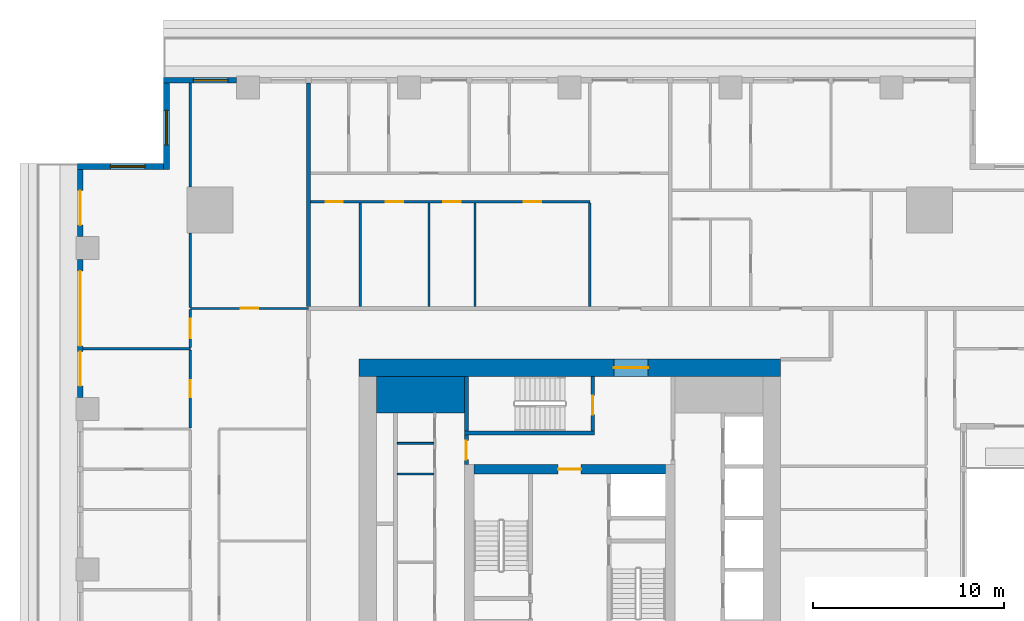
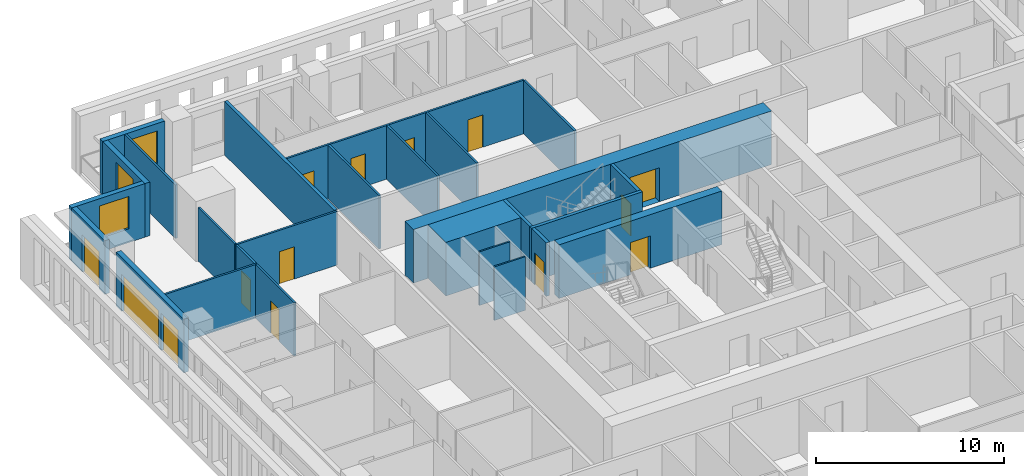
# One storey, part 7 of 16: 26 walls, 14 doors, 3 windows, 17 openings.
"""IFC4 building model written with IfcOpenShell, lengths in metres."""

from ifc_helpers import new_model, si_unit, direction, frame, frame_2d, origin, place, context, subcontext, project, spatial, rectangle, extrude, material, layer, layer_set, type_object, element, fill, save


model = new_model("IFC4")

# Units and contexts
model_context = context("Model", 3, precision=1e-05, world=origin(), true_north=direction((0.0, 1.0)))
body_context = subcontext(model_context, "Body", "Model", "MODEL_VIEW")
ifc_project = project(units=[si_unit("LENGTHUNIT", "METRE"), si_unit("AREAUNIT", "SQUARE_METRE"), si_unit("VOLUMEUNIT", "CUBIC_METRE"), si_unit("PLANEANGLEUNIT", "RADIAN"), si_unit("MASSUNIT", "GRAM", prefix="KILO")], contexts=[model_context])

# Site, building, storey
site_placement = place(None, origin())
site = spatial("IfcSite", under=ifc_project, at=site_placement, CompositionType="ELEMENT")
building_placement = place(site_placement, origin())
building = spatial("IfcBuilding", under=site, at=building_placement, Name="Khepri Terraces", CompositionType="ELEMENT")
storey_placement = place(building_placement, frame((0.0, 0.0, 204.0)))
storey = spatial("IfcBuildingStorey", under=building, at=storey_placement, Name="L48", CompositionType="ELEMENT", Elevation=204.0)

# Walls
ifc_material_1 = material(Name="Concrete C50/60", Category="concrete")
ifc_layer_1 = layer(ifc_material_1, 1.89990234375, Name="Concrete C50/60", Category="concrete")
ifc_layer_set_1 = layer_set([ifc_layer_1], Name="Concrete C50/60")
wall_type_1 = type_object("IfcWallType", Name="Core wall 1900 C50/60", PredefinedType="SHEAR", material=ifc_layer_set_1)
wall_1_placement = place(storey_placement, frame((-10.10009765625, 9.14990234375, 0.0), z_axis=(0.0, 0.0, 1.0), x_axis=(1.0, 0.0, 0.0)))
element("IfcWall", 1, at=wall_1_placement, inside=storey, type_object=wall_type_1, Name="Core wall PR03 L48", PredefinedType="SHEAR", context=body_context, shape_type="SweptSolid", body=[
    extrude(rectangle(XDim=4.60009765625, YDim=1.89990234375, at=frame_2d((2.300048828125, 0.0))), origin(), (0.0, 0.0, 1.0), 3.47998046875),
])
ifc_layer_2 = layer(ifc_material_1, 0.199951171875, Name="Concrete C50/60", Category="concrete")
ifc_layer_set_2 = layer_set([ifc_layer_2], Name="Concrete C50/60")
wall_type_2 = type_object("IfcWallType", Name="Core wall 200 C50/60", PredefinedType="SHEAR", material=ifc_layer_set_2)
wall_2_placement = place(storey_placement, frame((-5.5, 7.14990234375, 0.0), z_axis=(0.0, 0.0, 1.0), x_axis=(1.0, 0.0, 0.0)))
element("IfcWall", 2, at=wall_2_placement, inside=storey, type_object=wall_type_2, Name="Core wall ST05 L48", PredefinedType="SHEAR", context=body_context, shape_type="SweptSolid", body=[
    extrude(rectangle(XDim=6.800048828125, YDim=0.199951171875, at=frame_2d((3.39990234375, 0.0))), origin(), (0.0, 0.0, 1.0), 3.47998046875),
])
wall_3_placement = place(storey_placement, frame((-5.39990234375, 7.25, 0.0), z_axis=(0.0, 0.0, 1.0), x_axis=(0.0, 1.0, 0.0)))
element("IfcWall", 3, at=wall_3_placement, inside=storey, type_object=wall_type_2, Name="Core wall ST06 L48", PredefinedType="SHEAR", context=body_context, shape_type="SweptSolid", body=[
    extrude(rectangle(XDim=2.85009765625, YDim=0.199951171875, at=frame_2d((1.425048828125, 0.0))), origin(), (0.0, 0.0, 1.0), 3.47998046875),
])

# Wall, opening, door
wall_4_placement = place(storey_placement, frame((1.199951171875, 7.25, 0.0), z_axis=(0.0, 0.0, 1.0), x_axis=(0.0, 1.0, 0.0)))
wall_4 = element("IfcWall", 4, at=wall_4_placement, inside=storey, type_object=wall_type_2, Name="Core wall ST07 L48", PredefinedType="SHEAR", context=body_context, shape_type="SweptSolid", body=[
    extrude(rectangle(XDim=2.85009765625, YDim=0.199951171875, at=frame_2d((1.425048828125, 0.0))), origin(), (0.0, 0.0, 1.0), 3.47998046875),
])
opening_1_placement = place(wall_4_placement, frame((0.85009765625, 0.0, 0.0)))
opening_1 = element("IfcOpeningElement", 5, at=opening_1_placement, cuts=wall_4, Name="Opening L48-C15", PredefinedType="OPENING", context=body_context, shape_type="SweptSolid", body=[
    extrude(rectangle(XDim=1.0, YDim=2.10009765625, at=frame_2d((0.5, 1.050048828125))), frame((0.0, 0.10986328125, 0.0), z_axis=(0.0, -1.0, 0.0), x_axis=(1.0, 0.0, 0.0)), (0.0, 0.0, 1.0), 0.219970703125),
])
ifc_material_2 = material(Name="Painted steel", Category="steel")
door_type_1 = type_object("IfcDoorType", Name="DR-CORE-STAIR-1000", OperationType="NOTDEFINED", PredefinedType="DOOR", material=ifc_material_2)
door_1_placement = place(opening_1_placement, origin())
door_1 = element("IfcDoor", 6, at=door_1_placement, inside=storey, type_object=door_type_1, Name="Stair door L48-C15", OperationType="SINGLE_SWING_LEFT", OverallHeight=2.10009765625, OverallWidth=1.0, PredefinedType="DOOR", context=body_context, shape_type="SweptSolid", body=[
    extrude(rectangle(XDim=1.0, YDim=2.10009765625, at=frame_2d((0.5, 1.050048828125))), frame((0.0, 0.02490234375, 0.0), z_axis=(0.0, -1.0, 0.0), x_axis=(1.0, 0.0, 0.0)), (0.0, 0.0, 1.0), 0.050048828125),
])
fill(opening_1, door_1)

ifc_layer_3 = layer(ifc_material_1, 0.5, Name="Concrete C50/60", Category="concrete")
ifc_layer_set_3 = layer_set([ifc_layer_3], Name="Concrete C50/60")
wall_type_3 = type_object("IfcWallType", Name="Core wall 500 C50/60", PredefinedType="SHEAR", material=ifc_layer_set_3)
wall_5_placement = place(storey_placement, frame((-5.0, 5.25, 0.0), z_axis=(0.0, 0.0, 1.0), x_axis=(1.0, 0.0, 0.0)))
wall_5 = element("IfcWall", 7, at=wall_5_placement, inside=storey, type_object=wall_type_3, Name="Core wall BX04 L48", PredefinedType="SHEAR", context=body_context, shape_type="SweptSolid", body=[
    extrude(rectangle(XDim=10.0, YDim=0.5, at=frame_2d((5.0, 0.0))), origin(), (0.0, 0.0, 1.0), 3.47998046875),
])
opening_2_placement = place(wall_5_placement, frame((4.39990234375, 0.0, 0.0)))
opening_2 = element("IfcOpeningElement", 8, at=opening_2_placement, cuts=wall_5, Name="Opening L48-C13", PredefinedType="OPENING", context=body_context, shape_type="SweptSolid", body=[
    extrude(rectangle(XDim=1.199951171875, YDim=2.10009765625, at=frame_2d((0.60009765625, 1.050048828125))), frame((0.0, 0.260009765625, 0.0), z_axis=(0.0, -1.0, 0.0), x_axis=(1.0, 0.0, 0.0)), (0.0, 0.0, 1.0), 0.52001953125),
])
door_type_2 = type_object("IfcDoorType", Name="DR-CORE-FF-LOBBY-1200", OperationType="NOTDEFINED", PredefinedType="DOOR", material=ifc_material_2)
door_2_placement = place(opening_2_placement, frame((1.199951171875, 0.0, 0.0), z_axis=(0.0, 0.0, 1.0), x_axis=(-1.0, 0.0, 0.0)))
door_2 = element("IfcDoor", 9, at=door_2_placement, inside=storey, type_object=door_type_2, Name="Firefighting lobby door L48-C13", OperationType="SINGLE_SWING_LEFT", OverallHeight=2.10009765625, OverallWidth=1.199951171875, PredefinedType="DOOR", context=body_context, shape_type="SweptSolid", body=[
    extrude(rectangle(XDim=1.199951171875, YDim=2.10009765625, at=frame_2d((0.60009765625, 1.050048828125))), frame((0.0, 0.02490234375, 0.0), z_axis=(0.0, -1.0, 0.0), x_axis=(1.0, 0.0, 0.0)), (0.0, 0.0, 1.0), 0.050048828125),
])
fill(opening_2, door_2)

ifc_layer_4 = layer(ifc_material_1, 0.89990234375, Name="Concrete C50/60", Category="concrete")
ifc_layer_set_4 = layer_set([ifc_layer_4], Name="Concrete C50/60")
wall_type_4 = type_object("IfcWallType", Name="Core wall 900 C50/60", PredefinedType="SHEAR", material=ifc_layer_set_4)
wall_6_placement = place(storey_placement, frame((-11.0, 10.550048828125, 0.0), z_axis=(0.0, 0.0, 1.0), x_axis=(1.0, 0.0, 0.0)))
wall_6 = element("IfcWall", 10, at=wall_6_placement, inside=storey, type_object=wall_type_4, Name="Core wall OW-N L48", PredefinedType="SHEAR", context=body_context, shape_type="SweptSolid", body=[
    extrude(rectangle(XDim=22.0, YDim=0.89990234375, at=frame_2d((11.0, 0.0))), origin(), (0.0, 0.0, 1.0), 3.47998046875),
])
opening_3_placement = place(wall_6_placement, frame((13.300048828125, 0.0, 0.0)))
opening_3 = element("IfcOpeningElement", 11, at=opening_3_placement, cuts=wall_6, Name="Opening L48-C20", PredefinedType="OPENING", context=body_context, shape_type="SweptSolid", body=[
    extrude(rectangle(XDim=1.800048828125, YDim=2.199951171875, at=frame_2d((0.89990234375, 1.10009765625))), frame((0.0, 0.4599609375, 0.0), z_axis=(0.0, -1.0, 0.0), x_axis=(1.0, 0.0, 0.0)), (0.0, 0.0, 1.0), 0.919921875),
])
door_type_3 = type_object("IfcDoorType", Name="DR-CORE-ENTRANCE-1800", OperationType="NOTDEFINED", PredefinedType="DOOR", material=ifc_material_2)
door_3_placement = place(opening_3_placement, origin())
door_3 = element("IfcDoor", 12, at=door_3_placement, inside=storey, type_object=door_type_3, Name="Core entrance door pair L48-C20", OperationType="DOUBLE_DOOR_SINGLE_SWING", OverallHeight=2.199951171875, OverallWidth=1.800048828125, PredefinedType="DOOR", context=body_context, shape_type="SweptSolid", body=[
    extrude(rectangle(XDim=1.800048828125, YDim=2.199951171875, at=frame_2d((0.89990234375, 1.10009765625))), frame((0.0, 0.02490234375, 0.0), z_axis=(0.0, -1.0, 0.0), x_axis=(1.0, 0.0, 0.0)), (0.0, 0.0, 1.0), 0.050048828125),
])
fill(opening_3, door_3)

# Walls
ifc_material_3 = material(Name="Fire-rated gypsum board partition")
ifc_layer_5 = layer(ifc_material_3, 0.10009765625, Name="Fire-rated gypsum board partition")
ifc_layer_set_5 = layer_set([ifc_layer_5], Name="Fire-rated gypsum board partition")
wall_type_5 = type_object("IfcWallType", Name="WL-CORE-PART-100", PredefinedType="PARTITIONING", material=ifc_layer_set_5)
for number, where, z_axis, x_axis, name in (
    (13, (-9.0, 5.0, 0.0), (0.0, 0.0, 1.0), (1.0, 0.0, 0.0), "Core partition PT11 L48"),
    (14, (-9.0, 6.60009765625, 0.0), (0.0, 0.0, 1.0), (1.0, 0.0, 0.0), "Core partition PT14 L48"),
):
    element("IfcWall", number, at=place(storey_placement, frame(where, z_axis=z_axis, x_axis=x_axis)), inside=storey, type_object=wall_type_5, Name=name, PredefinedType="PARTITIONING", context=body_context, shape_type="SweptSolid", body=[
        extrude(rectangle(XDim=1.89990234375, YDim=0.10009765625, at=frame_2d((0.949951171875, 0.0))), origin(), (0.0, 0.0, 1.0), 3.47998046875),
    ])

# Wall, opening, door
ifc_layer_6 = layer(ifc_material_3, 0.199951171875, Name="Fire-rated gypsum board partition")
ifc_layer_set_6 = layer_set([ifc_layer_6], Name="Fire-rated gypsum board partition")
wall_type_6 = type_object("IfcWallType", Name="WL-CORE-PART-200", PredefinedType="PARTITIONING", material=ifc_layer_set_6)
wall_7_placement = place(storey_placement, frame((-5.39990234375, 5.5, 0.0), z_axis=(0.0, 0.0, 1.0), x_axis=(0.0, 1.0, 0.0)))
wall_7 = element("IfcWall", 15, at=wall_7_placement, inside=storey, type_object=wall_type_6, Name="Core partition PT12 L48", PredefinedType="PARTITIONING", context=body_context, shape_type="SweptSolid", body=[
    extrude(rectangle(XDim=1.550048828125, YDim=0.199951171875, at=frame_2d((0.77490234375, 0.0))), origin(), (0.0, 0.0, 1.0), 3.47998046875),
])
opening_4_placement = place(wall_7_placement, frame((0.25, 0.0, 0.0)))
opening_4 = element("IfcOpeningElement", 16, at=opening_4_placement, cuts=wall_7, Name="Opening L48-C16", PredefinedType="OPENING", context=body_context, shape_type="SweptSolid", body=[
    extrude(rectangle(XDim=1.0, YDim=2.10009765625, at=frame_2d((0.5, 1.050048828125))), frame((0.0, 0.10986328125, 0.0), z_axis=(0.0, -1.0, 0.0), x_axis=(1.0, 0.0, 0.0)), (0.0, 0.0, 1.0), 0.219970703125),
])
door_type_4 = type_object("IfcDoorType", Name="DR-CORE-LOBBY-1000", OperationType="NOTDEFINED", PredefinedType="DOOR", material=ifc_material_2)
door_4_placement = place(opening_4_placement, frame((1.0, 0.0, 0.0), z_axis=(0.0, 0.0, 1.0), x_axis=(-1.0, 0.0, 0.0)))
door_4 = element("IfcDoor", 17, at=door_4_placement, inside=storey, type_object=door_type_4, Name="Lobby door L48-C16", OperationType="SINGLE_SWING_RIGHT", OverallHeight=2.10009765625, OverallWidth=1.0, PredefinedType="DOOR", context=body_context, shape_type="SweptSolid", body=[
    extrude(rectangle(XDim=1.0, YDim=2.10009765625, at=frame_2d((0.5, 1.050048828125))), frame((0.0, 0.02490234375, 0.0), z_axis=(0.0, -1.0, 0.0), x_axis=(1.0, 0.0, 0.0)), (0.0, 0.0, 1.0), 0.050048828125),
])
fill(opening_4, door_4)

# Wall
ifc_material_4 = material(Name="Fire-rated gypsum plasterboard partition, mineral wool")
ifc_layer_7 = layer(ifc_material_4, 0.199951171875, Name="Fire-rated gypsum plasterboard partition, mineral wool")
ifc_layer_set_7 = layer_set([ifc_layer_7], Name="Fire-rated gypsum plasterboard partition, mineral wool")
wall_type_7 = type_object("IfcWallType", Name="WL-CORR-200", PredefinedType="PARTITIONING", material=ifc_layer_set_7)
wall_8_placement = place(storey_placement, frame((-13.64990234375, 13.75, 0.0), z_axis=(0.0, 0.0, 1.0), x_axis=(0.0, 1.0, 0.0)))
element("IfcWall", 18, at=wall_8_placement, inside=storey, type_object=wall_type_7, Name="Partition P-078 L48", PredefinedType="PARTITIONING", context=body_context, shape_type="SweptSolid", body=[
    extrude(rectangle(XDim=11.669921875, YDim=0.199951171875, at=frame_2d((5.8349609375, 0.0))), origin(), (0.0, 0.0, 1.0), 3.47998046875),
])

# Wall, opening, window
ifc_material_5 = material(Name="Precast concrete C50/60 warm stone", Category="masonry")
ifc_layer_8 = layer(ifc_material_5, 0.300048828125, Name="Precast concrete C50/60 warm stone", Category="masonry")
ifc_layer_set_8 = layer_set([ifc_layer_8], Name="Precast concrete C50/60 warm stone")
wall_type_8 = type_object("IfcWallType", Name="WL-EXT-PRECAST-300", PredefinedType="STANDARD", material=ifc_layer_set_8)
wall_9_placement = place(storey_placement, frame((-17.39990234375, 25.570068359375, 0.0), z_axis=(0.0, 0.0, 1.0), x_axis=(-1.0, 0.0, 0.0)))
wall_9 = element("IfcWall", 19, at=wall_9_placement, inside=storey, type_object=wall_type_8, Name="External wall L48 N", PredefinedType="STANDARD", context=body_context, shape_type="SweptSolid", body=[
    extrude(rectangle(XDim=3.820068359375, YDim=0.300048828125, at=frame_2d((1.91015625, 0.0))), origin(), (0.0, 0.0, 1.0), 3.47998046875),
])
opening_5_placement = place(wall_9_placement, frame((0.4599609375, 0.0, 0.89990234375)))
opening_5 = element("IfcOpeningElement", 20, at=opening_5_placement, cuts=wall_9, Name="Opening W1", PredefinedType="OPENING", context=body_context, shape_type="SweptSolid", body=[
    extrude(rectangle(XDim=1.800048828125, YDim=2.10009765625, at=frame_2d((0.89990234375, 1.050048828125))), frame((0.0, 0.16015625, 0.0), z_axis=(0.0, -1.0, 0.0), x_axis=(1.0, 0.0, 0.0)), (0.0, 0.0, 1.0), 0.320068359375),
])
ifc_material_6 = material(Name="Clear glass", Category="glass")
window_type = type_object("IfcWindowType", Name="WIN-RES-1800x2100", PartitioningType="SINGLE_PANEL", PredefinedType="WINDOW", material=ifc_material_6)
window_1_placement = place(opening_5_placement, origin())
window_1 = element("IfcWindow", 21, at=window_1_placement, inside=storey, type_object=window_type, Name="Window L48 N", OverallHeight=2.10009765625, OverallWidth=1.800048828125, PartitioningType="SINGLE_PANEL", PredefinedType="WINDOW", context=body_context, shape_type="SweptSolid", body=[
    extrude(rectangle(XDim=1.800048828125, YDim=2.10009765625, at=frame_2d((0.89990234375, 1.050048828125))), frame((0.0, 0.030029296875, 0.0), z_axis=(0.0, -1.0, 0.0), x_axis=(1.0, 0.0, 0.0)), (0.0, 0.0, 1.0), 0.06005859375),
])
fill(opening_5, window_1)

wall_10_placement = place(storey_placement, frame((-21.070068359375, 25.419921875, 0.0), z_axis=(0.0, 0.0, 1.0), x_axis=(0.0, -1.0, 0.0)))
wall_10 = element("IfcWall", 22, at=wall_10_placement, inside=storey, type_object=wall_type_8, Name="External wall L48 W", PredefinedType="STANDARD", context=body_context, shape_type="SweptSolid", body=[
    extrude(rectangle(XDim=4.5, YDim=0.300048828125, at=frame_2d((2.25, 0.0))), origin(), (0.0, 0.0, 1.0), 3.47998046875),
])
opening_6_placement = place(wall_10_placement, frame((1.419921875, 0.0, 0.89990234375)))
opening_6 = element("IfcOpeningElement", 23, at=opening_6_placement, cuts=wall_10, Name="Opening W1", PredefinedType="OPENING", context=body_context, shape_type="SweptSolid", body=[
    extrude(rectangle(XDim=1.800048828125, YDim=2.10009765625, at=frame_2d((0.89990234375, 1.050048828125))), frame((0.0, 0.16015625, 0.0), z_axis=(0.0, -1.0, 0.0), x_axis=(1.0, 0.0, 0.0)), (0.0, 0.0, 1.0), 0.320068359375),
])
window_2_placement = place(opening_6_placement, origin())
window_2 = element("IfcWindow", 24, at=window_2_placement, inside=storey, type_object=window_type, Name="Window L48 W", OverallHeight=2.10009765625, OverallWidth=1.800048828125, PartitioningType="SINGLE_PANEL", PredefinedType="WINDOW", context=body_context, shape_type="SweptSolid", body=[
    extrude(rectangle(XDim=1.800048828125, YDim=2.10009765625, at=frame_2d((0.89990234375, 1.050048828125))), frame((0.0, 0.030029296875, 0.0), z_axis=(0.0, -1.0, 0.0), x_axis=(1.0, 0.0, 0.0)), (0.0, 0.0, 1.0), 0.06005859375),
])
fill(opening_6, window_2)

wall_11_placement = place(storey_placement, frame((-21.219970703125, 21.070068359375, 0.0), z_axis=(0.0, 0.0, 1.0), x_axis=(-1.0, 0.0, 0.0)))
wall_11 = element("IfcWall", 25, at=wall_11_placement, inside=storey, type_object=wall_type_8, Name="External wall L48 N", PredefinedType="STANDARD", context=body_context, shape_type="SweptSolid", body=[
    extrude(rectangle(XDim=4.5, YDim=0.300048828125, at=frame_2d((2.25, 0.0))), origin(), (0.0, 0.0, 1.0), 3.47998046875),
])
opening_7_placement = place(wall_11_placement, frame((0.97998046875, 0.0, 0.89990234375)))
opening_7 = element("IfcOpeningElement", 26, at=opening_7_placement, cuts=wall_11, Name="Opening W1", PredefinedType="OPENING", context=body_context, shape_type="SweptSolid", body=[
    extrude(rectangle(XDim=1.800048828125, YDim=2.10009765625, at=frame_2d((0.89990234375, 1.050048828125))), frame((0.0, 0.16015625, 0.0), z_axis=(0.0, -1.0, 0.0), x_axis=(1.0, 0.0, 0.0)), (0.0, 0.0, 1.0), 0.320068359375),
])
window_3_placement = place(opening_7_placement, origin())
window_3 = element("IfcWindow", 27, at=window_3_placement, inside=storey, type_object=window_type, Name="Window L48 N", OverallHeight=2.10009765625, OverallWidth=1.800048828125, PartitioningType="SINGLE_PANEL", PredefinedType="WINDOW", context=body_context, shape_type="SweptSolid", body=[
    extrude(rectangle(XDim=1.800048828125, YDim=2.10009765625, at=frame_2d((0.89990234375, 1.050048828125))), frame((0.0, 0.030029296875, 0.0), z_axis=(0.0, -1.0, 0.0), x_axis=(1.0, 0.0, 0.0)), (0.0, 0.0, 1.0), 0.06005859375),
])
fill(opening_7, window_3)

# Wall, opening, door
wall_12_placement = place(storey_placement, frame((-25.570068359375, 20.919921875, 0.0), z_axis=(0.0, 0.0, 1.0), x_axis=(0.0, -1.0, 0.0)))
wall_12 = element("IfcWall", 28, at=wall_12_placement, inside=storey, type_object=wall_type_8, Name="External wall L48 W", PredefinedType="STANDARD", context=body_context, shape_type="SweptSolid", body=[
    extrude(rectangle(XDim=3.52001953125, YDim=0.300048828125, at=frame_2d((1.760009765625, 0.0))), origin(), (0.0, 0.0, 1.0), 3.47998046875),
])
opening_8_placement = place(wall_12_placement, frame((1.1201171875, 0.0, 0.0)))
opening_8 = element("IfcOpeningElement", 29, at=opening_8_placement, cuts=wall_12, Name="Opening ED-L48-12", PredefinedType="OPENING", context=body_context, shape_type="SweptSolid", body=[
    extrude(rectangle(XDim=1.800048828125, YDim=2.39990234375, at=frame_2d((0.89990234375, 1.199951171875))), frame((0.0, 0.16015625, 0.0), z_axis=(0.0, -1.0, 0.0), x_axis=(1.0, 0.0, 0.0)), (0.0, 0.0, 1.0), 0.320068359375),
])
ifc_material_7 = material(Name="Anodised aluminium bronze glazed door", Category="aluminium")
door_type_5 = type_object("IfcDoorType", Name="DR-BAL-SLIDE-1800x2400", OperationType="NOTDEFINED", PredefinedType="DOOR", material=ifc_material_7)
door_5_placement = place(opening_8_placement, origin())
door_5 = element("IfcDoor", 30, at=door_5_placement, inside=storey, type_object=door_type_5, Name="Balcony door L48 W", OperationType="SLIDING_TO_RIGHT", OverallHeight=2.39990234375, OverallWidth=1.800048828125, PredefinedType="DOOR", context=body_context, shape_type="SweptSolid", body=[
    extrude(rectangle(XDim=1.800048828125, YDim=2.39990234375, at=frame_2d((0.89990234375, 1.199951171875))), frame((0.0, 0.02490234375, 0.0), z_axis=(0.0, -1.0, 0.0), x_axis=(1.0, 0.0, 0.0)), (0.0, 0.0, 1.0), 0.050048828125),
])
fill(opening_8, door_5)

# Wall, openings, doors
wall_13_placement = place(storey_placement, frame((-25.570068359375, 16.199951171875, 0.0), z_axis=(0.0, 0.0, 1.0), x_axis=(0.0, -1.0, 0.0)))
wall_13 = element("IfcWall", 31, at=wall_13_placement, inside=storey, type_object=wall_type_8, Name="External wall L48 W", PredefinedType="STANDARD", context=body_context, shape_type="SweptSolid", body=[
    extrude(rectangle(XDim=7.199951171875, YDim=0.300048828125, at=frame_2d((3.60009765625, 0.0))), origin(), (0.0, 0.0, 1.0), 3.47998046875),
])
opening_9_placement = place(wall_13_placement, frame((0.60009765625, 0.0, 0.0)))
opening_9 = element("IfcOpeningElement", 32, at=opening_9_placement, cuts=wall_13, Name="Opening ED-L48-13", PredefinedType="OPENING", context=body_context, shape_type="SweptSolid", body=[
    extrude(rectangle(XDim=3.89990234375, YDim=2.39990234375, at=frame_2d((1.949951171875, 1.199951171875))), frame((0.0, 0.16015625, 0.0), z_axis=(0.0, -1.0, 0.0), x_axis=(1.0, 0.0, 0.0)), (0.0, 0.0, 1.0), 0.320068359375),
])
opening_10_placement = place(wall_13_placement, frame((4.800048828125, 0.0, 0.0)))
opening_10 = element("IfcOpeningElement", 33, at=opening_10_placement, cuts=wall_13, Name="Opening ED-L48-14", PredefinedType="OPENING", context=body_context, shape_type="SweptSolid", body=[
    extrude(rectangle(XDim=1.800048828125, YDim=2.39990234375, at=frame_2d((0.89990234375, 1.199951171875))), frame((0.0, 0.16015625, 0.0), z_axis=(0.0, -1.0, 0.0), x_axis=(1.0, 0.0, 0.0)), (0.0, 0.0, 1.0), 0.320068359375),
])
door_6_placement = place(opening_10_placement, origin())
door_6 = element("IfcDoor", 34, at=door_6_placement, inside=storey, type_object=door_type_5, Name="Balcony door L48 W", OperationType="SLIDING_TO_RIGHT", OverallHeight=2.39990234375, OverallWidth=1.800048828125, PredefinedType="DOOR", context=body_context, shape_type="SweptSolid", body=[
    extrude(rectangle(XDim=1.800048828125, YDim=2.39990234375, at=frame_2d((0.89990234375, 1.199951171875))), frame((0.0, 0.02490234375, 0.0), z_axis=(0.0, -1.0, 0.0), x_axis=(1.0, 0.0, 0.0)), (0.0, 0.0, 1.0), 0.050048828125),
])
fill(opening_10, door_6)
door_type_6 = type_object("IfcDoorType", Name="DR-BAL-SLIDE-3900x2400", OperationType="NOTDEFINED", PredefinedType="DOOR", material=ifc_material_7)
door_7_placement = place(opening_9_placement, origin())
door_7 = element("IfcDoor", 35, at=door_7_placement, inside=storey, type_object=door_type_6, Name="Balcony door L48 W", OperationType="SLIDING_TO_LEFT", OverallHeight=2.39990234375, OverallWidth=3.89990234375, PredefinedType="DOOR", context=body_context, shape_type="SweptSolid", body=[
    extrude(rectangle(XDim=3.89990234375, YDim=2.39990234375, at=frame_2d((1.949951171875, 1.199951171875))), frame((0.0, 0.02490234375, 0.0), z_axis=(0.0, -1.0, 0.0), x_axis=(1.0, 0.0, 0.0)), (0.0, 0.0, 1.0), 0.050048828125),
])
fill(opening_9, door_7)

# Wall, opening, door
ifc_material_8 = material(Name="Gypsum plasterboard partition")
ifc_layer_9 = layer(ifc_material_8, 0.1201171875, Name="Gypsum plasterboard partition")
ifc_layer_set_9 = layer_set([ifc_layer_9], Name="Gypsum plasterboard partition")
wall_type_9 = type_object("IfcWallType", Name="WL-PART-120", PredefinedType="PARTITIONING", material=ifc_layer_set_9)
wall_14_placement = place(storey_placement, frame((-19.820068359375, 7.409912109375, 0.0), z_axis=(0.0, 0.0, 1.0), x_axis=(0.0, 1.0, 0.0)))
wall_14 = element("IfcWall", 36, at=wall_14_placement, inside=storey, type_object=wall_type_9, Name="Partition P-067 L48", PredefinedType="PARTITIONING", context=body_context, shape_type="SweptSolid", body=[
    extrude(rectangle(XDim=4.080078125, YDim=0.1201171875, at=frame_2d((2.0400390625, 0.0))), origin(), (0.0, 0.0, 1.0), 3.47998046875),
])
opening_11_placement = place(wall_14_placement, frame((1.590087890625, 0.0, 0.0)))
opening_11 = element("IfcOpeningElement", 37, at=opening_11_placement, cuts=wall_14, Name="Opening D3", PredefinedType="OPENING", context=body_context, shape_type="SweptSolid", body=[
    extrude(rectangle(XDim=0.89990234375, YDim=2.10009765625, at=frame_2d((0.449951171875, 1.050048828125))), frame((0.0, 0.070068359375, 0.0), z_axis=(0.0, -1.0, 0.0), x_axis=(1.0, 0.0, 0.0)), (0.0, 0.0, 1.0), 0.14013671875),
])
ifc_material_9 = material(Name="Timber door leaf", Category="wood")
door_type_7 = type_object("IfcDoorType", Name="DR-INT-900", OperationType="NOTDEFINED", PredefinedType="DOOR", material=ifc_material_9)
door_8_placement = place(opening_11_placement, origin())
door_8 = element("IfcDoor", 38, at=door_8_placement, inside=storey, type_object=door_type_7, Name="Door Master Bedroom", OperationType="SINGLE_SWING_LEFT", OverallHeight=2.10009765625, OverallWidth=0.89990234375, PredefinedType="DOOR", context=body_context, shape_type="SweptSolid", body=[
    extrude(rectangle(XDim=0.89990234375, YDim=2.10009765625, at=frame_2d((0.449951171875, 1.050048828125))), frame((0.0, 0.02490234375, 0.0), z_axis=(0.0, -1.0, 0.0), x_axis=(1.0, 0.0, 0.0)), (0.0, 0.0, 1.0), 0.050048828125),
])
fill(opening_11, door_8)

# Wall
wall_15_placement = place(storey_placement, frame((-25.419921875, 11.550048828125, 0.0), z_axis=(0.0, 0.0, 1.0), x_axis=(1.0, 0.0, 0.0)))
element("IfcWall", 39, at=wall_15_placement, inside=storey, type_object=wall_type_9, Name="Partition P-071 L48", PredefinedType="PARTITIONING", context=body_context, shape_type="SweptSolid", body=[
    extrude(rectangle(XDim=5.599853515625, YDim=0.1201171875, at=frame_2d((2.7998046875, 0.0))), origin(), (0.0, 0.0, 1.0), 3.47998046875),
])

# Wall, opening, door
wall_16_placement = place(storey_placement, frame((-19.820068359375, 11.610107421875, 0.0), z_axis=(0.0, 0.0, 1.0), x_axis=(0.0, 1.0, 0.0)))
wall_16 = element("IfcWall", 40, at=wall_16_placement, inside=storey, type_object=wall_type_9, Name="Partition P-073 L48", PredefinedType="PARTITIONING", context=body_context, shape_type="SweptSolid", body=[
    extrude(rectangle(XDim=1.97998046875, YDim=0.1201171875, at=frame_2d((0.989990234375, 0.0))), origin(), (0.0, 0.0, 1.0), 3.47998046875),
])
opening_12_placement = place(wall_16_placement, frame((0.489990234375, 0.0, 0.0)))
opening_12 = element("IfcOpeningElement", 41, at=opening_12_placement, cuts=wall_16, Name="Opening D2", PredefinedType="OPENING", context=body_context, shape_type="SweptSolid", body=[
    extrude(rectangle(XDim=1.0, YDim=2.10009765625, at=frame_2d((0.5, 1.050048828125))), frame((0.0, 0.070068359375, 0.0), z_axis=(0.0, -1.0, 0.0), x_axis=(1.0, 0.0, 0.0)), (0.0, 0.0, 1.0), 0.14013671875),
])
ifc_material_10 = material(Name="Timber door leaf, living room door", Category="wood")
door_type_8 = type_object("IfcDoorType", Name="DR-INT-1000", OperationType="NOTDEFINED", PredefinedType="DOOR", material=ifc_material_10)
door_9_placement = place(opening_12_placement, origin())
door_9 = element("IfcDoor", 42, at=door_9_placement, inside=storey, type_object=door_type_8, Name="Door Living Room", OperationType="SINGLE_SWING_RIGHT", OverallHeight=2.10009765625, OverallWidth=1.0, PredefinedType="DOOR", context=body_context, shape_type="SweptSolid", body=[
    extrude(rectangle(XDim=1.0, YDim=2.10009765625, at=frame_2d((0.5, 1.050048828125))), frame((0.0, 0.02490234375, 0.0), z_axis=(0.0, -1.0, 0.0), x_axis=(1.0, 0.0, 0.0)), (0.0, 0.0, 1.0), 0.050048828125),
])
fill(opening_12, door_9)

wall_17_placement = place(storey_placement, frame((-19.820068359375, 13.64990234375, 0.0), z_axis=(0.0, 0.0, 1.0), x_axis=(1.0, 0.0, 0.0)))
wall_17 = element("IfcWall", 43, at=wall_17_placement, inside=storey, type_object=wall_type_9, Name="Partition P-075 L48", PredefinedType="PARTITIONING", context=body_context, shape_type="SweptSolid", body=[
    extrude(rectangle(XDim=6.170166015625, YDim=0.1201171875, at=frame_2d((3.0849609375, 0.0))), origin(), (0.0, 0.0, 1.0), 3.47998046875),
])
opening_13_placement = place(wall_17_placement, frame((2.635009765625, 0.0, 0.0)))
opening_13 = element("IfcOpeningElement", 44, at=opening_13_placement, cuts=wall_17, Name="Opening D3", PredefinedType="OPENING", context=body_context, shape_type="SweptSolid", body=[
    extrude(rectangle(XDim=0.89990234375, YDim=2.10009765625, at=frame_2d((0.449951171875, 1.050048828125))), frame((0.0, 0.070068359375, 0.0), z_axis=(0.0, -1.0, 0.0), x_axis=(1.0, 0.0, 0.0)), (0.0, 0.0, 1.0), 0.14013671875),
])
door_10_placement = place(opening_13_placement, origin())
door_10 = element("IfcDoor", 45, at=door_10_placement, inside=storey, type_object=door_type_7, Name="Door Home Cinema", OperationType="SINGLE_SWING_RIGHT", OverallHeight=2.10009765625, OverallWidth=0.89990234375, PredefinedType="DOOR", context=body_context, shape_type="SweptSolid", body=[
    extrude(rectangle(XDim=0.89990234375, YDim=2.10009765625, at=frame_2d((0.449951171875, 1.050048828125))), frame((0.0, 0.02490234375, 0.0), z_axis=(0.0, -1.0, 0.0), x_axis=(1.0, 0.0, 0.0)), (0.0, 0.0, 1.0), 0.050048828125),
])
fill(opening_13, door_10)

# Walls
wall_18_placement = place(storey_placement, frame((-19.820068359375, 13.7099609375, 0.0), z_axis=(0.0, 0.0, 1.0), x_axis=(0.0, 1.0, 0.0)))
element("IfcWall", 46, at=wall_18_placement, inside=storey, type_object=wall_type_9, Name="Partition P-077 L48", PredefinedType="PARTITIONING", context=body_context, shape_type="SweptSolid", body=[
    extrude(rectangle(XDim=3.89013671875, YDim=0.1201171875, at=frame_2d((1.945068359375, 0.0))), origin(), (0.0, 0.0, 1.0), 3.47998046875),
])
for number, where, z_axis, x_axis, name in (
    (47, (-10.949951171875, 13.75, 0.0), (0.0, 0.0, 1.0), (0.0, 1.0, 0.0), "Partition P-079 L48"),
    (48, (-7.35009765625, 13.75, 0.0), (0.0, 0.0, 1.0), (0.0, 1.0, 0.0), "Partition P-080 L48"),
    (49, (-4.949951171875, 13.75, 0.0), (0.0, 0.0, 1.0), (0.0, 1.0, 0.0), "Partition P-081 L48"),
    (50, (1.050048828125, 13.75, 0.0), (0.0, 0.0, 1.0), (0.0, 1.0, 0.0), "Partition P-082 L48"),
):
    element("IfcWall", number, at=place(storey_placement, frame(where, z_axis=z_axis, x_axis=x_axis)), inside=storey, type_object=wall_type_9, Name=name, PredefinedType="PARTITIONING", context=body_context, shape_type="SweptSolid", body=[
        extrude(rectangle(XDim=5.409912109375, YDim=0.1201171875, at=frame_2d((2.705078125, 0.0))), origin(), (0.0, 0.0, 1.0), 3.47998046875),
    ])

# Wall, openings, doors
wall_19_placement = place(storey_placement, frame((-13.550048828125, 19.219970703125, 0.0), z_axis=(0.0, 0.0, 1.0), x_axis=(1.0, 0.0, 0.0)))
wall_19 = element("IfcWall", 51, at=wall_19_placement, inside=storey, type_object=wall_type_9, Name="Partition P-088 L48", PredefinedType="PARTITIONING", context=body_context, shape_type="SweptSolid", body=[
    extrude(rectangle(XDim=14.60009765625, YDim=0.1201171875, at=frame_2d((7.300048828125, 0.0))), origin(), (0.0, 0.0, 1.0), 3.47998046875),
])
opening_14_placement = place(wall_19_placement, frame((11.14990234375, 0.0, 0.0)))
opening_14 = element("IfcOpeningElement", 52, at=opening_14_placement, cuts=wall_19, Name="Opening D3", PredefinedType="OPENING", context=body_context, shape_type="SweptSolid", body=[
    extrude(rectangle(XDim=0.89990234375, YDim=2.10009765625, at=frame_2d((0.449951171875, 1.050048828125))), frame((0.0, 0.070068359375, 0.0), z_axis=(0.0, -1.0, 0.0), x_axis=(1.0, 0.0, 0.0)), (0.0, 0.0, 1.0), 0.14013671875),
])
opening_15_placement = place(wall_19_placement, frame((6.949951171875, 0.0, 0.0)))
opening_15 = element("IfcOpeningElement", 53, at=opening_15_placement, cuts=wall_19, Name="Opening D4", PredefinedType="OPENING", context=body_context, shape_type="SweptSolid", body=[
    extrude(rectangle(XDim=0.89990234375, YDim=2.10009765625, at=frame_2d((0.449951171875, 1.050048828125))), frame((0.0, 0.070068359375, 0.0), z_axis=(0.0, -1.0, 0.0), x_axis=(1.0, 0.0, 0.0)), (0.0, 0.0, 1.0), 0.14013671875),
])
opening_16_placement = place(wall_19_placement, frame((3.949951171875, 0.0, 0.0)))
opening_16 = element("IfcOpeningElement", 54, at=opening_16_placement, cuts=wall_19, Name="Opening D3", PredefinedType="OPENING", context=body_context, shape_type="SweptSolid", body=[
    extrude(rectangle(XDim=0.89990234375, YDim=2.10009765625, at=frame_2d((0.449951171875, 1.050048828125))), frame((0.0, 0.070068359375, 0.0), z_axis=(0.0, -1.0, 0.0), x_axis=(1.0, 0.0, 0.0)), (0.0, 0.0, 1.0), 0.14013671875),
])
opening_17_placement = place(wall_19_placement, frame((0.800048828125, 0.0, 0.0)))
opening_17 = element("IfcOpeningElement", 55, at=opening_17_placement, cuts=wall_19, Name="Opening D4", PredefinedType="OPENING", context=body_context, shape_type="SweptSolid", body=[
    extrude(rectangle(XDim=0.89990234375, YDim=2.10009765625, at=frame_2d((0.449951171875, 1.050048828125))), frame((0.0, 0.070068359375, 0.0), z_axis=(0.0, -1.0, 0.0), x_axis=(1.0, 0.0, 0.0)), (0.0, 0.0, 1.0), 0.14013671875),
])
door_11_placement = place(opening_14_placement, frame((0.89990234375, 0.0, 0.0), z_axis=(0.0, 0.0, 1.0), x_axis=(-1.0, 0.0, 0.0)))
door_11 = element("IfcDoor", 56, at=door_11_placement, inside=storey, type_object=door_type_7, Name="Door Kitchen", OperationType="SINGLE_SWING_LEFT", OverallHeight=2.10009765625, OverallWidth=0.89990234375, PredefinedType="DOOR", context=body_context, shape_type="SweptSolid", body=[
    extrude(rectangle(XDim=0.89990234375, YDim=2.10009765625, at=frame_2d((0.449951171875, 1.050048828125))), frame((0.0, 0.02490234375, 0.0), z_axis=(0.0, -1.0, 0.0), x_axis=(1.0, 0.0, 0.0)), (0.0, 0.0, 1.0), 0.050048828125),
])
fill(opening_14, door_11)
door_12_placement = place(opening_16_placement, frame((0.89990234375, 0.0, 0.0), z_axis=(0.0, 0.0, 1.0), x_axis=(-1.0, 0.0, 0.0)))
door_12 = element("IfcDoor", 57, at=door_12_placement, inside=storey, type_object=door_type_7, Name="Door Staff Bedroom", OperationType="SINGLE_SWING_RIGHT", OverallHeight=2.10009765625, OverallWidth=0.89990234375, PredefinedType="DOOR", context=body_context, shape_type="SweptSolid", body=[
    extrude(rectangle(XDim=0.89990234375, YDim=2.10009765625, at=frame_2d((0.449951171875, 1.050048828125))), frame((0.0, 0.02490234375, 0.0), z_axis=(0.0, -1.0, 0.0), x_axis=(1.0, 0.0, 0.0)), (0.0, 0.0, 1.0), 0.050048828125),
])
fill(opening_16, door_12)
ifc_material_11 = material(Name="Timber door leaf, moisture resistant", Category="wood")
door_type_9 = type_object("IfcDoorType", Name="DR-WET-900", OperationType="NOTDEFINED", PredefinedType="DOOR", material=ifc_material_11)
door_13_placement = place(opening_15_placement, frame((0.89990234375, 0.0, 0.0), z_axis=(0.0, 0.0, 1.0), x_axis=(-1.0, 0.0, 0.0)))
door_13 = element("IfcDoor", 58, at=door_13_placement, inside=storey, type_object=door_type_9, Name="Door Powder Room", OperationType="SINGLE_SWING_LEFT", OverallHeight=2.10009765625, OverallWidth=0.89990234375, PredefinedType="DOOR", context=body_context, shape_type="SweptSolid", body=[
    extrude(rectangle(XDim=0.89990234375, YDim=2.10009765625, at=frame_2d((0.449951171875, 1.050048828125))), frame((0.0, 0.02490234375, 0.0), z_axis=(0.0, -1.0, 0.0), x_axis=(1.0, 0.0, 0.0)), (0.0, 0.0, 1.0), 0.050048828125),
])
fill(opening_15, door_13)
door_14_placement = place(opening_17_placement, frame((0.89990234375, 0.0, 0.0), z_axis=(0.0, 0.0, 1.0), x_axis=(-1.0, 0.0, 0.0)))
door_14 = element("IfcDoor", 59, at=door_14_placement, inside=storey, type_object=door_type_9, Name="Door Guest Bathroom", OperationType="SINGLE_SWING_RIGHT", OverallHeight=2.10009765625, OverallWidth=0.89990234375, PredefinedType="DOOR", context=body_context, shape_type="SweptSolid", body=[
    extrude(rectangle(XDim=0.89990234375, YDim=2.10009765625, at=frame_2d((0.449951171875, 1.050048828125))), frame((0.0, 0.02490234375, 0.0), z_axis=(0.0, -1.0, 0.0), x_axis=(1.0, 0.0, 0.0)), (0.0, 0.0, 1.0), 0.050048828125),
])
fill(opening_17, door_14)

# Wall
wall_20_placement = place(storey_placement, frame((-19.820068359375, 20.0, 0.0), z_axis=(0.0, 0.0, 1.0), x_axis=(0.0, 1.0, 0.0)))
element("IfcWall", 60, at=wall_20_placement, inside=storey, type_object=wall_type_9, Name="Partition P-094 L48", PredefinedType="PARTITIONING", context=body_context, shape_type="SweptSolid", body=[
    extrude(rectangle(XDim=5.419921875, YDim=0.1201171875, at=frame_2d((2.7099609375, 0.0))), origin(), (0.0, 0.0, 1.0), 3.47998046875),
])

save(model, "model.ifc")
